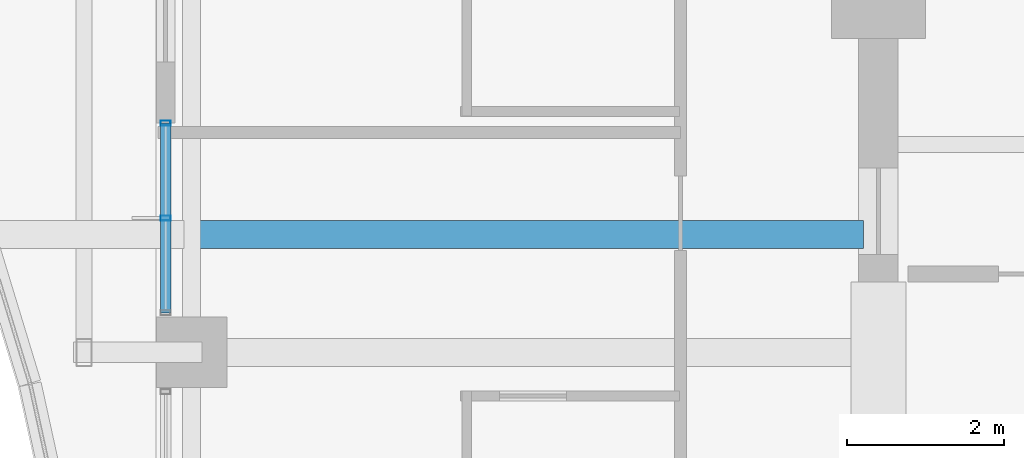
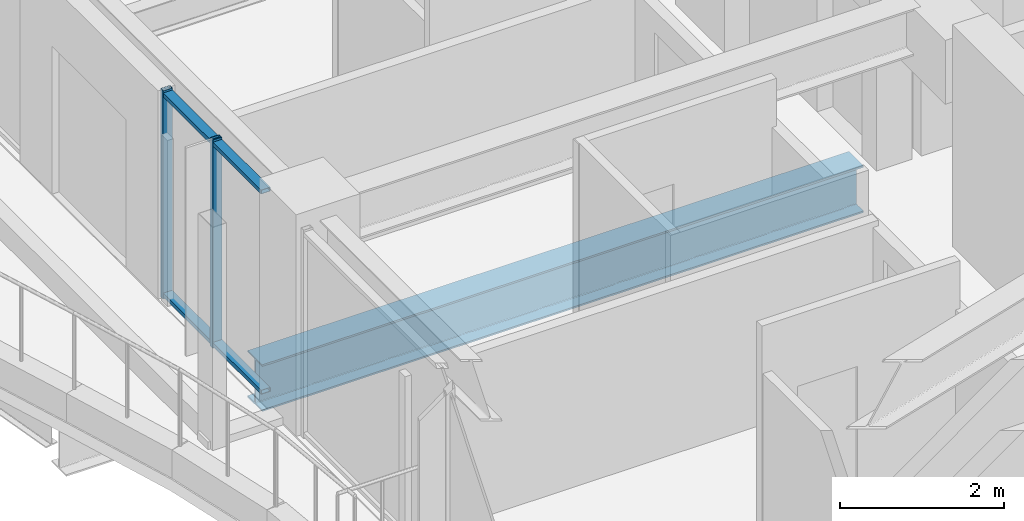
# One storey, part 9 of 37: 4 members, 1 beam, 1 element without a shape of its own.
"""IFC4 building model written with IfcOpenShell, lengths in metres."""

import ifcopenshell
import ifcopenshell.guid

model = None  # the IFC model being written
_history = None  # IfcOwnerHistory: only IFC2X3 demands one
_inside = {}  # id of a spatial element -> (the spatial element, [elements in it])
_under = {}  # id of a project, library or spatial element -> (it, [spatial elements below it])
_declared = {}  # id of a project -> (the project, [libraries it declares])
_typed = {}  # id of a type object -> (the type object, [elements of that type])
_made_of = {}  # id of a material, layer set ... -> (it, [elements and type objects made of it])


def new_model(schema):
    """Start an empty IFC model of exactly this schema.

    Asked for "IFC4X3", IfcOpenShell would pick the latest addendum, in which some entities
    have other attributes; the version numbers below select the first issue.
    IFC2X3 requires an IfcOwnerHistory on every rooted entity: one is made here for all.
    """
    global model, _history
    if schema == "IFC4X3":
        model = ifcopenshell.file(schema_version=(4, 3, 0, 0))
    else:
        model = ifcopenshell.file(schema=schema)
    _inside.clear()
    _under.clear()
    _declared.clear()
    _typed.clear()
    _made_of.clear()
    _history = None
    if model.schema == "IFC2X3":
        org = make("IfcOrganization", Name="unknown")
        user = make(
            "IfcPersonAndOrganization",
            ThePerson=make("IfcPerson", FamilyName="unknown"),
            TheOrganization=org,
        )
        app = make(
            "IfcApplication",
            ApplicationDeveloper=org,
            Version="unknown",
            ApplicationFullName="unknown",
            ApplicationIdentifier="unknown",
        )
        _history = make(
            "IfcOwnerHistory",
            OwningUser=user,
            OwningApplication=app,
            ChangeAction="ADDED",
            CreationDate=0,
        )
    return model


def make(cls, **values):
    """One entity of the class cls with the attributes given. An attribute that is None is left unset."""
    return model.create_entity(
        cls, **{name: value for name, value in values.items() if value is not None}
    )


def rooted(cls, **values):
    """An entity with a GlobalId (a new one), such as an element, a storey or a relation."""
    return make(cls, GlobalId=ifcopenshell.guid.new(), OwnerHistory=_history, **values)


def si_unit(unit_type, name, prefix=None):
    """IfcSIUnit, for example si_unit("LENGTHUNIT", "METRE", prefix="MILLI")."""
    return make("IfcSIUnit", UnitType=unit_type, Prefix=prefix, Name=name)


def assignment(units):
    """IfcUnitAssignment: the units of a project."""
    return None if units is None else make("IfcUnitAssignment", Units=units)


def point(xyz):
    """IfcCartesianPoint."""
    return None if xyz is None else make("IfcCartesianPoint", Coordinates=xyz)


def direction(xyz):
    """IfcDirection."""
    return None if xyz is None else make("IfcDirection", DirectionRatios=xyz)


def frame(location, z_axis=None, x_axis=None):
    """IfcAxis2Placement3D, a coordinate frame: its origin and axes. An axis left out is left unset."""
    return make(
        "IfcAxis2Placement3D",
        Location=point(location),
        Axis=direction(z_axis),
        RefDirection=direction(x_axis),
    )


def frame_2d(location, x_axis=None):
    """IfcAxis2Placement2D, a coordinate frame in the plane: its origin and x axis."""
    return make(
        "IfcAxis2Placement2D", Location=point(location), RefDirection=direction(x_axis)
    )


def origin():
    """The frame at (0, 0, 0) with its axes left unset."""
    return frame((0.0, 0.0, 0.0))


def origin_2d():
    """The frame at (0, 0) in the plane with its x axis left unset."""
    return frame_2d((0.0, 0.0))


def place(relative_to, where):
    """IfcLocalPlacement: puts the frame where relative to a parent placement (None: the world)."""
    return make(
        "IfcLocalPlacement", PlacementRelTo=relative_to, RelativePlacement=where
    )


def context(
    kind, dimensions, precision=None, world=None, true_north=None, identifier=None
):
    """IfcGeometricRepresentationContext, for example the 3D "Model" context."""
    return make(
        "IfcGeometricRepresentationContext",
        ContextIdentifier=identifier,
        ContextType=kind,
        CoordinateSpaceDimension=dimensions,
        Precision=precision,
        WorldCoordinateSystem=world,
        TrueNorth=true_north,
    )


def subcontext(parent, identifier, kind, view, scale=None):
    """IfcGeometricRepresentationSubContext, for example "Body" below "Model"."""
    return make(
        "IfcGeometricRepresentationSubContext",
        ContextIdentifier=identifier,
        ContextType=kind,
        ParentContext=parent,
        TargetScale=scale,
        TargetView=view,
    )


def project(units=None, contexts=None):
    """IfcProject with its units and contexts."""
    return rooted(
        "IfcProject",
        Name="project",
        RepresentationContexts=contexts,
        UnitsInContext=assignment(units),
    )


def spatial(cls, under=None, at=None, **own):
    """A site, building, storey or space (cls), placed at a placement, below another one or the project."""
    s = rooted(cls, ObjectPlacement=at, **own)
    if under is not None:
        _under.setdefault(under.id(), (under, []))[1].append(s)
    return s


def profile(cls, at=None, kind="AREA", **sizes):
    """A parametric profile (cls). Its sizes go by their IFC names, for example OverallWidth=200.0."""
    return make(cls, ProfileType=kind, Position=at, **sizes)


def hollow_rectangle(**sizes):
    """IfcRectangleHollowProfileDef."""
    return profile("IfcRectangleHollowProfileDef", **sizes)


def i_section(**sizes):
    """IfcIShapeProfileDef."""
    return profile("IfcIShapeProfileDef", **sizes)


def extrude(swept, where, along, depth):
    """IfcExtrudedAreaSolid: the profile swept, set in the frame where, extruded along a direction by depth."""
    return make(
        "IfcExtrudedAreaSolid",
        SweptArea=swept,
        Position=where,
        ExtrudedDirection=direction(along),
        Depth=depth,
    )


def shape(context_of_items, identifier, shape_type, items):
    """IfcShapeRepresentation: the items that make up one representation, for example the "Body"."""
    return make(
        "IfcShapeRepresentation",
        ContextOfItems=context_of_items,
        RepresentationIdentifier=identifier,
        RepresentationType=shape_type,
        Items=items,
    )


def material(Name=None, Category=None):
    """IfcMaterial."""
    return make("IfcMaterial", Name=Name, Category=Category)


def material_profile(
    of_material, cross_section, Name=None, Category=None, Priority=None
):
    """IfcMaterialProfile: a cross section and its material."""
    return make(
        "IfcMaterialProfile",
        Name=Name,
        Material=of_material,
        Profile=cross_section,
        Priority=Priority,
        Category=Category,
    )


def profile_set(profiles, Name=None, composite=None):
    """IfcMaterialProfileSet."""
    return make(
        "IfcMaterialProfileSet",
        Name=Name,
        MaterialProfiles=profiles,
        CompositeProfile=composite,
    )


def made_of(thing, what):
    """Note that an element or type object is made of a material, layer set ...; save() writes the relation."""
    if what is not None:
        _made_of.setdefault(what.id(), (what, []))[1].append(thing)
    return thing


def type_object(cls, material=None, **own):
    """A type object (cls), such as IfcWallType, which elements share."""
    return made_of(rooted(cls, **own), material)


def element(
    cls,
    number,
    at=None,
    inside=None,
    cuts=None,
    type_object=None,
    material=None,
    context=None,
    identifier="Body",
    shape_type=None,
    held_by="IfcProductDefinitionShape",
    body=None,
    shapes=None,
    **own,
):
    """One element of the class cls, such as IfcWall. Its Tag is "e" and its number.

    at: its placement. inside: the storey or other place that contains it. cuts: it is an
    opening in that element (IfcRelVoidsElement). A single representation is given by context,
    identifier, shape_type and body (its items); several are given by shapes. held_by: the class
    of the entity that holds the representations. save() writes the other relations.
    """
    e = rooted(cls, Tag="e%d" % number, ObjectPlacement=at, **own)
    if body is not None:
        shapes = [shape(context, identifier, shape_type, body)]
    if shapes is not None:
        e.Representation = make(held_by, Representations=shapes)
    if inside is not None:
        _inside.setdefault(inside.id(), (inside, []))[1].append(e)
    if cuts is not None:
        rooted(
            "IfcRelVoidsElement", RelatingBuildingElement=cuts, RelatedOpeningElement=e
        )
    if type_object is not None:
        _typed.setdefault(type_object.id(), (type_object, []))[1].append(e)
    return made_of(e, material)


def aggregate(whole, parts):
    """IfcRelAggregates: a whole, such as a stair, and the parts it consists of."""
    return rooted("IfcRelAggregates", RelatingObject=whole, RelatedObjects=parts)


def save(model, path):
    """Write the relations noted so far, then the file.

    IfcRelAggregates (storeys below a building ...), IfcRelContainedInSpatialStructure (elements
    in a storey), IfcRelDefinesByType, IfcRelAssociatesMaterial and IfcRelDeclares: one each for
    every whole, place, type object, material and project.
    """
    for whole, parts in _under.values():
        aggregate(whole, parts)
    for where, things in _inside.values():
        rooted(
            "IfcRelContainedInSpatialStructure",
            RelatedElements=things,
            RelatingStructure=where,
        )
    for kind, things in _typed.values():
        rooted("IfcRelDefinesByType", RelatedObjects=things, RelatingType=kind)
    for what, things in _made_of.values():
        rooted("IfcRelAssociatesMaterial", RelatedObjects=things, RelatingMaterial=what)
    for by, libraries in _declared.values():
        rooted("IfcRelDeclares", RelatingContext=by, RelatedDefinitions=libraries)
    model.write(path)


model = new_model("IFC4")

# Units and contexts
model_context = context("Model", 3, precision=1e-05, world=origin(), true_north=direction((0.0, 1.0)))
body_context = subcontext(model_context, "Body", "Model", "MODEL_VIEW")
ifc_project = project(units=[si_unit("LENGTHUNIT", "METRE"), si_unit("AREAUNIT", "SQUARE_METRE"), si_unit("VOLUMEUNIT", "CUBIC_METRE"), si_unit("PLANEANGLEUNIT", "RADIAN"), si_unit("MASSUNIT", "GRAM", prefix="KILO")], contexts=[model_context])

# Site, building, storey
site_placement = place(None, origin())
site = spatial("IfcSite", under=ifc_project, at=site_placement, CompositionType="ELEMENT")
building_placement = place(site_placement, origin())
building = spatial("IfcBuilding", under=site, at=building_placement, Name="Kolvaren Belvedere", CompositionType="ELEMENT")
storey_placement = place(building_placement, frame((0.0, 0.0, 156.89990234375)))
storey = spatial("IfcBuildingStorey", under=building, at=storey_placement, Name="L45", CompositionType="ELEMENT", Elevation=156.89990234375)

# Beam
ifc_material_1 = material(Name="Structural steel ASTM A992 Grade 50", Category="steel")
ifc_material_profile_1 = material_profile(ifc_material_1, i_section(OverallWidth=0.35498046875, OverallDepth=0.696044921875, WebThickness=0.015380859375, FlangeThickness=0.02490234375, FilletRadius=0.02197265625, at=origin_2d()), Name="W27X146")
ifc_profile_set_1 = profile_set([ifc_material_profile_1], Name="Structural steel ASTM A992 Grade 50")
beam_type = type_object("IfcBeamType", Name="BM-GIRD-W27X146", PredefinedType="BEAM", material=ifc_profile_set_1)
beam_placement = place(storey_placement, frame((-10.090087890625, -3.10009765625, -0.5478515625), z_axis=(-1.0, 0.0, 0.0), x_axis=(0.0, -1.0, 0.0)))
element("IfcBeam", 1, at=beam_placement, inside=storey, type_object=beam_type, Name="L45 Balcony Interior Back-Span Girder BAL-W-1", PredefinedType="BEAM", context=body_context, shape_type="SweptSolid", body=[
    extrude(i_section(OverallWidth=0.35498046875, OverallDepth=0.696044921875, WebThickness=0.015380859375, FlangeThickness=0.02490234375, FilletRadius=0.02197265625, at=origin_2d()), origin(), (0.0, 0.0, 1.0), 8.46484375),
])

# Curtain wall, members
ifc_material_2 = material(Name="Anodised pale-metal aluminium AA 6063-T6", Category="aluminium")
curtain_wall_type = type_object("IfcCurtainWallType", Name="CW-Z3-WAIST", PredefinedType="NOTDEFINED", material=ifc_material_2)
curtain_wall_placement = place(storey_placement, origin())
curtain_wall = element("IfcCurtainWall", 2, at=curtain_wall_placement, inside=storey, type_object=curtain_wall_type, Name="L45 Unitised Curtain Wall FCW-L45-W1-B2", PredefinedType="NOTDEFINED")
ifc_material_3 = material(Name="Anodised pale-metal aluminium AA 6063-T6", Category="aluminium")
ifc_material_profile_2 = material_profile(ifc_material_3, hollow_rectangle(XDim=0.06494140625, YDim=0.1298828125, WallThickness=0.00390625, at=origin_2d()), Name="ALU-MUL-130X65")
ifc_profile_set_2 = profile_set([ifc_material_profile_2], Name="Anodised pale-metal aluminium AA 6063-T6")
member_type_1 = type_object("IfcMemberType", Name="CW-MUL-130", PredefinedType="MULLION", material=ifc_profile_set_2)
member_1_placement = place(storey_placement, frame((-18.97998046875, -2.888671875, 0.0), z_axis=(0.0, 0.0, 1.0), x_axis=(0.0, 1.0, 0.0)))
member_1 = element("IfcMember", 3, at=member_1_placement, type_object=member_type_1, Name="FCW-L45-W1-B2 Unitised Mullion 2", PredefinedType="MULLION", context=body_context, shape_type="SweptSolid", body=[
    extrude(hollow_rectangle(XDim=0.06494140625, YDim=0.1298828125, WallThickness=0.00390625, at=origin_2d()), origin(), (0.0, 0.0, 1.0), 3.10009765625),
])
member_2_placement = place(storey_placement, frame((-18.97998046875, -1.679931640625, 0.0), z_axis=(0.0, 0.0, 1.0), x_axis=(0.0, 1.0, 0.0)))
member_2 = element("IfcMember", 4, at=member_2_placement, type_object=member_type_1, Name="FCW-L45-W1-B2 Unitised Mullion 3", PredefinedType="MULLION", context=body_context, shape_type="SweptSolid", body=[
    extrude(hollow_rectangle(XDim=0.06494140625, YDim=0.1298828125, WallThickness=0.00390625, at=origin_2d()), origin(), (0.0, 0.0, 1.0), 3.10009765625),
])
ifc_material_4 = material(Name="Anodised pale-metal aluminium AA 6063-T6", Category="aluminium")
ifc_material_profile_3 = material_profile(ifc_material_4, hollow_rectangle(XDim=0.06005859375, YDim=0.1298828125, WallThickness=0.00390625, at=origin_2d()), Name="ALU-TRN-130X60")
ifc_profile_set_3 = profile_set([ifc_material_profile_3], Name="Anodised pale-metal aluminium AA 6063-T6")
member_type_2 = type_object("IfcMemberType", Name="CW-TRN-130", PredefinedType="USERDEFINED", material=ifc_profile_set_3)
member_3_placement = place(storey_placement, frame((-18.97998046875, -4.097412109375, 0.06005859375), z_axis=(0.0, 1.0, 0.0), x_axis=(0.0, 0.0, 1.0)))
member_3 = element("IfcMember", 5, at=member_3_placement, type_object=member_type_2, Name="FCW-L45-W1-B2 Sill Transom", ObjectType="TRANSOM", PredefinedType="USERDEFINED", context=body_context, shape_type="SweptSolid", body=[
    extrude(hollow_rectangle(XDim=0.06005859375, YDim=0.1298828125, WallThickness=0.00390625, at=origin_2d()), origin(), (0.0, 0.0, 1.0), 2.41748046875),
])
member_4_placement = place(storey_placement, frame((-18.97998046875, -4.097412109375, 3.0400390625), z_axis=(0.0, 1.0, 0.0), x_axis=(0.0, 0.0, 1.0)))
member_4 = element("IfcMember", 6, at=member_4_placement, type_object=member_type_2, Name="FCW-L45-W1-B2 Head Transom", ObjectType="TRANSOM", PredefinedType="USERDEFINED", context=body_context, shape_type="SweptSolid", body=[
    extrude(hollow_rectangle(XDim=0.06005859375, YDim=0.1298828125, WallThickness=0.00390625, at=origin_2d()), origin(), (0.0, 0.0, 1.0), 2.41748046875),
])
aggregate(curtain_wall, [member_1, member_2, member_3, member_4])

save(model, "model.ifc")
